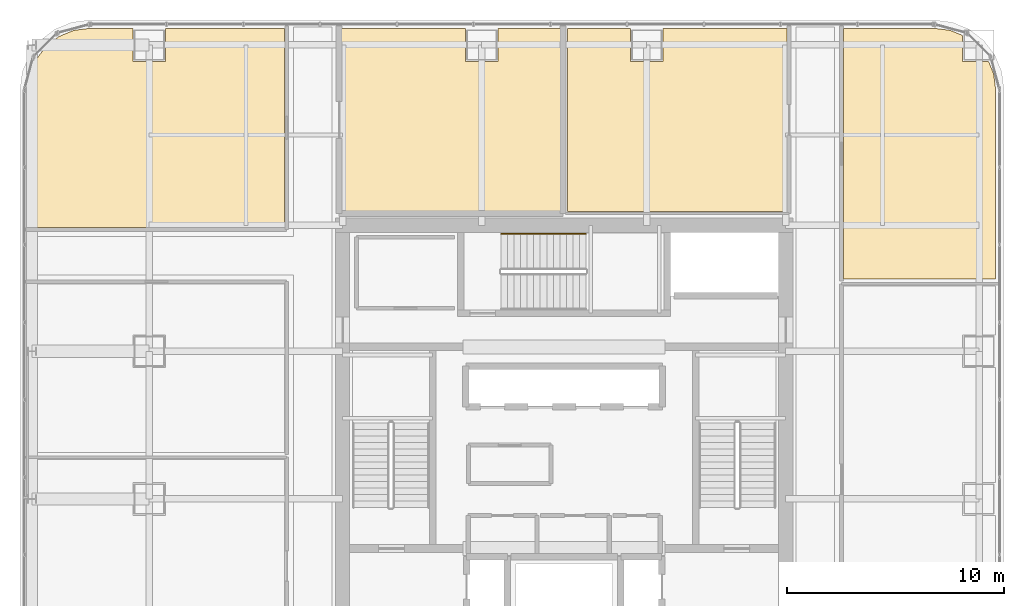
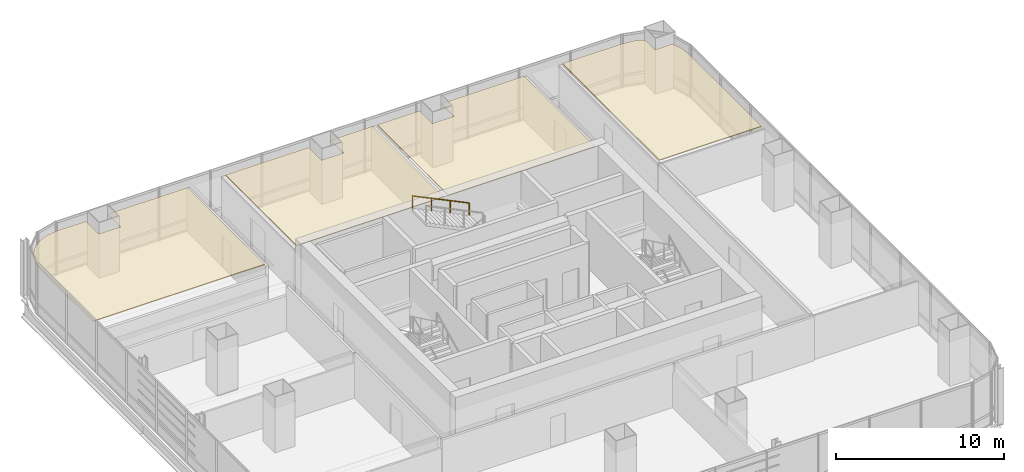
# One storey, part 36 of 36: 4 coverings, 1 railing.
"""IFC4 building model written with IfcOpenShell, lengths in metres."""

from ifc_helpers import new_model, si_unit, direction, frame, origin, origin_2d, place, context, subcontext, project, spatial, polyline, circle, outline, extrude, material, layer, layer_set, type_object, element, save


model = new_model("IFC4")

# Units and contexts
model_context = context("Model", 3, precision=1e-05, world=origin(), true_north=direction((0.0, 1.0)))
body_context = subcontext(model_context, "Body", "Model", "MODEL_VIEW")
ifc_project = project(units=[si_unit("LENGTHUNIT", "METRE"), si_unit("AREAUNIT", "SQUARE_METRE"), si_unit("VOLUMEUNIT", "CUBIC_METRE"), si_unit("PLANEANGLEUNIT", "RADIAN"), si_unit("MASSUNIT", "GRAM", prefix="KILO")], contexts=[model_context])

# Site, building, storey
site_placement = place(None, origin())
site = spatial("IfcSite", under=ifc_project, at=site_placement, CompositionType="ELEMENT")
building_placement = place(site_placement, origin())
building = spatial("IfcBuilding", under=site, at=building_placement, Name="Punatoya Terracotta Tower", CompositionType="ELEMENT")
storey_placement = place(building_placement, frame((0.0, 0.0, 184.35009765625)))
storey = spatial("IfcBuildingStorey", under=building, at=storey_placement, Name="L43", CompositionType="ELEMENT", Elevation=184.35009765625)

# Coverings
ifc_material_1 = material(Name="Acoustic Mineral Fibre Ceiling")
ifc_layer = layer(ifc_material_1, 0.06005859375)
ifc_layer_set = layer_set([ifc_layer], Name="Acoustic Mineral Fibre Ceiling")
covering_type = type_object("IfcCoveringType", Name="COV-CEIL-60", PredefinedType="CEILING", material=ifc_layer_set)
covering_1_placement = place(storey_placement, frame((0.0, 0.0, 3.219970703125)))
element("IfcCovering", 1, at=covering_1_placement, inside=storey, type_object=covering_type, Name="L43 Open-Plan Mindfulness Wellness Room Acoustic Ceiling", PredefinedType="CEILING", context=body_context, shape_type="SweptSolid", body=[
    extrude(outline(polyline([(12.8701171875, 18.27001953125), (12.8701171875, 6.722900390625), (19.8701171875, 6.722900390625), (19.8701171875, 15.425048828125), (19.770751953125, 16.178955078125), (19.5341796875, 16.75), (18.35009765625, 16.75), (18.35009765625, 17.934326171875), (17.779052734375, 18.1708984375), (17.025146484375, 18.27001953125), (12.8701171875, 18.27001953125)])), origin(), (0.0, 0.0, 1.0), 0.059814453125),
])
covering_2_placement = place(storey_placement, frame((0.0, 0.0, 3.219970703125)))
element("IfcCovering", 2, at=covering_2_placement, inside=storey, type_object=covering_type, Name="L43 Open-Plan Cultural Reading Library Acoustic Ceiling", PredefinedType="CEILING", context=body_context, shape_type="SweptSolid", body=[
    extrude(outline(polyline([(-24.57080078125, 16.178955078125), (-24.669921875, 15.425048828125), (-24.669921875, 9.10009765625), (-12.8701171875, 9.10009765625), (-12.8701171875, 18.27001953125), (-18.35009765625, 18.27001953125), (-18.35009765625, 16.75), (-19.85009765625, 16.75), (-19.85009765625, 18.27001953125), (-21.8251953125, 18.27001953125), (-22.5791015625, 18.1708984375), (-23.25830078125, 17.889404296875), (-23.841796875, 17.441650390625), (-24.289306640625, 16.8583984375), (-24.57080078125, 16.178955078125)])), origin(), (0.0, 0.0, 1.0), 0.059814453125),
])
covering_3_placement = place(storey_placement, frame((0.0, 0.0, 3.219970703125)))
element("IfcCovering", 3, at=covering_3_placement, inside=storey, type_object=covering_type, Name="L43 Open-Plan Fitness Movement Lounge Acoustic Ceiling", PredefinedType="CEILING", context=body_context, shape_type="SweptSolid", body=[
    extrude(outline(polyline([(-10.260009765625, 18.27001953125), (-10.260009765625, 9.840087890625), (-0.159912109375, 9.840087890625), (-0.159912109375, 18.27001953125), (-3.050048828125, 18.27001953125), (-3.050048828125, 16.75), (-4.550048828125, 16.75), (-4.550048828125, 18.27001953125), (-10.260009765625, 18.27001953125)])), origin(), (0.0, 0.0, 1.0), 0.059814453125),
])
covering_4_placement = place(storey_placement, frame((0.0, 0.0, 3.219970703125)))
element("IfcCovering", 4, at=covering_4_placement, inside=storey, type_object=covering_type, Name="L43 Open-Plan Seminar Discussion Room Acoustic Ceiling", PredefinedType="CEILING", context=body_context, shape_type="SweptSolid", body=[
    extrude(outline(polyline([(3.050048828125, 18.27001953125), (0.159912109375, 18.27001953125), (0.159912109375, 9.840087890625), (10.260009765625, 9.840087890625), (10.260009765625, 18.27001953125), (4.550048828125, 18.27001953125), (4.550048828125, 16.75), (3.050048828125, 16.75), (3.050048828125, 18.27001953125)])), origin(), (0.0, 0.0, 1.0), 0.059814453125),
])

# Railing
ifc_material_2 = material(Name="Steel S355", Category="steel")
railing_type = type_object("IfcRailingType", Name="RLG-HND-900", PredefinedType="HANDRAIL", material=ifc_material_2)
railing_placement = place(storey_placement, frame((1.0, 8.800048828125, 2.16943359375)))
element("IfcRailing", 5, at=railing_placement, inside=storey, type_object=railing_type, Name="L43 ST-3 stair handrail 2", PredefinedType="HANDRAIL", context=body_context, shape_type="SweptSolid", body=[
    extrude(circle(Radius=0.02392578125, at=origin_2d()), frame((0.0, 0.0, 0.8759765625), z_axis=(-0.900763166376, 0.0, 0.434310623978), x_axis=(0.0, -1.0, 0.0)), (0.0, 0.0, 1.0), 4.32958984375),
    extrude(circle(Radius=0.02099609375, at=origin_2d()), origin(), (0.0, 0.0, 1.0), 0.851806640625),
    extrude(circle(Radius=0.02099609375, at=origin_2d()), frame((-1.300048828125, 0.0, 0.626708984375)), (0.0, 0.0, 1.0), 0.851806640625),
    extrude(circle(Radius=0.02099609375, at=origin_2d()), frame((-2.599853515625, 0.0, 1.253662109375)), (0.0, 0.0, 1.0), 0.851806640625),
    extrude(circle(Radius=0.02099609375, at=origin_2d()), frame((-3.89990234375, 0.0, 1.88037109375)), (0.0, 0.0, 1.0), 0.851806640625),
])

save(model, "model.ifc")
